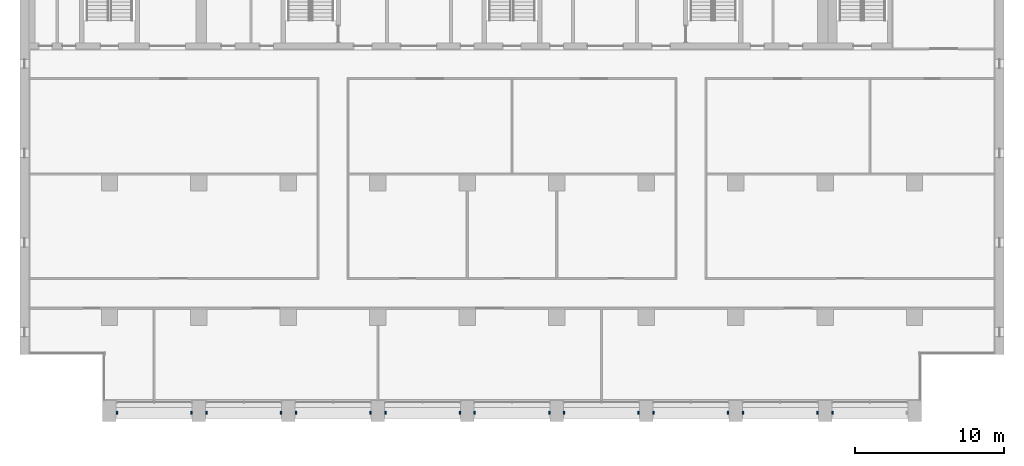
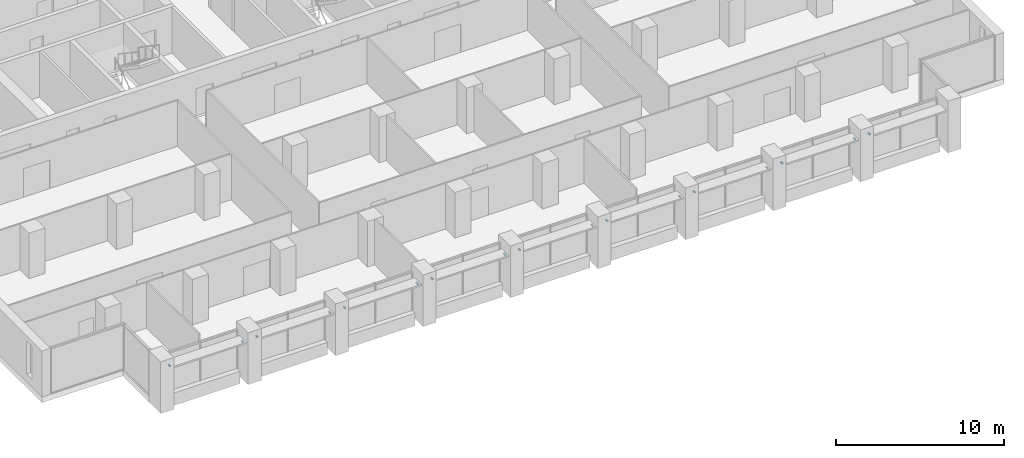
# One storey, part 14 of 17: 17 discrete accessories.
"""IFC4 building model written with IfcOpenShell, lengths in metres."""

from ifc_helpers import new_model, si_unit, direction, frame, origin, origin_2d, place, context, subcontext, project, spatial, rectangle, extrude, element, save


model = new_model("IFC4")

# Units and contexts
model_context = context("Model", 3, precision=1e-05, world=origin(), true_north=direction((0.0, 1.0)))
body_context = subcontext(model_context, "Body", "Model", "MODEL_VIEW")
ifc_project = project(units=[si_unit("LENGTHUNIT", "METRE"), si_unit("AREAUNIT", "SQUARE_METRE"), si_unit("VOLUMEUNIT", "CUBIC_METRE"), si_unit("PLANEANGLEUNIT", "RADIAN"), si_unit("MASSUNIT", "GRAM", prefix="KILO")], contexts=[model_context])

# Site, building, storey
site_placement = place(None, origin())
site = spatial("IfcSite", under=ifc_project, at=site_placement, CompositionType="ELEMENT")
building_placement = place(site_placement, origin())
building = spatial("IfcBuilding", under=site, at=building_placement, Name="Calvaro Tower", CompositionType="ELEMENT")
storey_placement = place(building_placement, frame((0.0, 0.0, 189.25)))
storey = spatial("IfcBuildingStorey", under=building, at=storey_placement, Name="L47", CompositionType="ELEMENT", Elevation=189.25)

# Discrete accessories
for number, where, z_axis, x_axis, name in (
    (1, (12.5, 3.60009765625, 2.349853515625), (0.0, 0.0, 1.0), (1.0, 0.0, 0.0), "Brise-soleil bracket"),
    (2, (17.5, 3.60009765625, 2.349853515625), (0.0, 0.0, 1.0), (1.0, 0.0, 0.0), "Brise-soleil bracket"),
    (3, (18.5, 3.60009765625, 2.349853515625), (0.0, 0.0, 1.0), (1.0, 0.0, 0.0), "Brise-soleil bracket"),
    (4, (23.5, 3.60009765625, 2.349853515625), (0.0, 0.0, 1.0), (1.0, 0.0, 0.0), "Brise-soleil bracket"),
    (5, (24.5, 3.60009765625, 2.349853515625), (0.0, 0.0, 1.0), (1.0, 0.0, 0.0), "Brise-soleil bracket"),
    (6, (29.5, 3.60009765625, 2.349853515625), (0.0, 0.0, 1.0), (1.0, 0.0, 0.0), "Brise-soleil bracket"),
    (7, (30.5, 3.60009765625, 2.349853515625), (0.0, 0.0, 1.0), (1.0, 0.0, 0.0), "Brise-soleil bracket"),
    (8, (35.5, 3.60009765625, 2.349853515625), (0.0, 0.0, 1.0), (1.0, 0.0, 0.0), "Brise-soleil bracket"),
    (9, (36.5, 3.60009765625, 2.349853515625), (0.0, 0.0, 1.0), (1.0, 0.0, 0.0), "Brise-soleil bracket"),
    (10, (41.5, 3.60009765625, 2.349853515625), (0.0, 0.0, 1.0), (1.0, 0.0, 0.0), "Brise-soleil bracket"),
    (11, (42.5, 3.60009765625, 2.349853515625), (0.0, 0.0, 1.0), (1.0, 0.0, 0.0), "Brise-soleil bracket"),
    (12, (47.5, 3.60009765625, 2.349853515625), (0.0, 0.0, 1.0), (1.0, 0.0, 0.0), "Brise-soleil bracket"),
    (13, (48.5, 3.60009765625, 2.349853515625), (0.0, 0.0, 1.0), (1.0, 0.0, 0.0), "Brise-soleil bracket"),
    (14, (53.5, 3.60009765625, 2.349853515625), (0.0, 0.0, 1.0), (1.0, 0.0, 0.0), "Brise-soleil bracket"),
    (15, (54.5, 3.60009765625, 2.349853515625), (0.0, 0.0, 1.0), (1.0, 0.0, 0.0), "Brise-soleil bracket"),
    (16, (59.5, 3.60009765625, 2.349853515625), (0.0, 0.0, 1.0), (1.0, 0.0, 0.0), "Brise-soleil bracket"),
    (17, (60.5, 3.60009765625, 2.349853515625), (0.0, 0.0, 1.0), (1.0, 0.0, 0.0), "Brise-soleil bracket"),
):
    element("IfcDiscreteAccessory", number, at=place(storey_placement, frame(where, z_axis=z_axis, x_axis=x_axis)), inside=storey, Name=name, PredefinedType="BRACKET", context=body_context, shape_type="SweptSolid", body=[
        extrude(rectangle(XDim=0.10009765625, YDim=0.199951171875, at=origin_2d()), origin(), (0.0, 0.0, 1.0), 0.10009765625),
    ])

save(model, "model.ifc")
